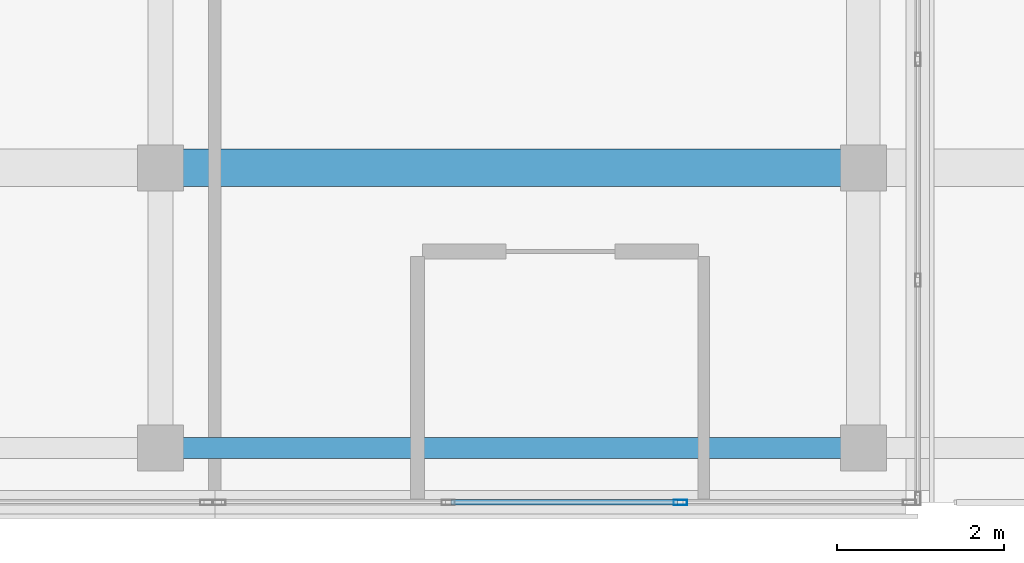
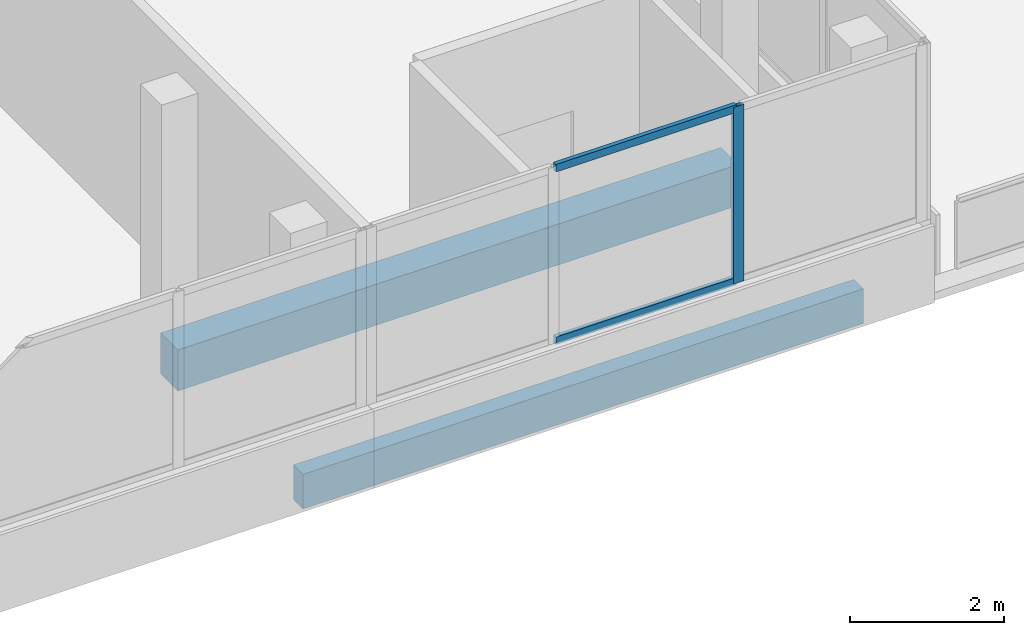
# One storey, part 38 of 67: 3 members, 2 beams, 1 element without a shape of its own.
"""IFC4 building model written with IfcOpenShell, lengths in metres."""

from ifc_helpers import new_model, si_unit, direction, frame, origin, origin_2d, place, context, subcontext, project, spatial, rectangle, hollow_rectangle, extrude, material, material_profile, profile_set, type_object, element, aggregate, save


model = new_model("IFC4")

# Units and contexts
model_context = context("Model", 3, precision=1e-05, world=origin(), true_north=direction((0.0, 1.0)))
body_context = subcontext(model_context, "Body", "Model", "MODEL_VIEW")
ifc_project = project(units=[si_unit("LENGTHUNIT", "METRE"), si_unit("AREAUNIT", "SQUARE_METRE"), si_unit("VOLUMEUNIT", "CUBIC_METRE"), si_unit("PLANEANGLEUNIT", "RADIAN"), si_unit("MASSUNIT", "GRAM", prefix="KILO")], contexts=[model_context])

# Site, building, storey
site_placement = place(None, origin())
site = spatial("IfcSite", under=ifc_project, at=site_placement, CompositionType="ELEMENT")
building_placement = place(site_placement, origin())
building = spatial("IfcBuilding", under=site, at=building_placement, Name="Selatvlak General Hospital", CompositionType="ELEMENT")
storey_placement = place(building_placement, frame((0.0, 0.0, 35.39990234375)))
storey = spatial("IfcBuildingStorey", under=building, at=storey_placement, Name="L08", CompositionType="ELEMENT", Elevation=35.39990234375)

# Beams
ifc_material_1 = material(Name="Concrete C40/50", Category="concrete")
ifc_material_profile_1 = material_profile(ifc_material_1, rectangle(XDim=0.449951171875, YDim=0.64990234375, at=origin_2d()), Name="RC-BM 450x650")
ifc_profile_set_1 = profile_set([ifc_material_profile_1], Name="Concrete C40/50")
beam_type_1 = type_object("IfcBeamType", Name="BM-G04", PredefinedType="BEAM", material=ifc_profile_set_1)
beam_1_placement = place(storey_placement, frame((148.14990234375, 92.0, -0.58984375), z_axis=(1.0, 0.0, 0.0), x_axis=(0.0, 1.0, 0.0)))
element("IfcBeam", 1, at=beam_1_placement, inside=storey, type_object=beam_type_1, Name="Beam BMR-L08-2583", PredefinedType="BEAM", context=body_context, shape_type="SweptSolid", body=[
    extrude(rectangle(XDim=0.449951171875, YDim=0.64990234375, at=origin_2d()), origin(), (0.0, 0.0, 1.0), 8.400146484375),
])
ifc_material_profile_2 = material_profile(ifc_material_1, rectangle(XDim=0.25, YDim=0.550048828125, at=origin_2d()), Name="RC-SP 250x550")
ifc_profile_set_2 = profile_set([ifc_material_profile_2], Name="Concrete C40/50")
beam_type_2 = type_object("IfcBeamType", Name="BM-SP2", PredefinedType="SPANDREL", material=ifc_profile_set_2)
beam_2_placement = place(storey_placement, frame((148.14990234375, 88.64990234375, -0.539794921875), z_axis=(1.0, 0.0, 0.0), x_axis=(0.0, 1.0, 0.0)))
element("IfcBeam", 2, at=beam_2_placement, inside=storey, type_object=beam_type_2, Name="Beam BMR-L08-2566", PredefinedType="SPANDREL", context=body_context, shape_type="SweptSolid", body=[
    extrude(rectangle(XDim=0.25, YDim=0.550048828125, at=origin_2d()), origin(), (0.0, 0.0, 1.0), 8.400146484375),
])

# Curtain wall, members
ifc_material_2 = material(Name="Solar-control Low-E double glazing", Category="glass")
curtain_wall_type = type_object("IfcCurtainWallType", Name="CW-CW-02", PredefinedType="USERDEFINED", material=ifc_material_2)
curtain_wall_placement = place(storey_placement, origin())
curtain_wall = element("IfcCurtainWall", 3, at=curtain_wall_placement, inside=storey, type_object=curtain_wall_type, Name="Glazed facade curtain wall CW-L08-0701", ObjectType="UNITISED CURTAIN WALL", PredefinedType="USERDEFINED")
ifc_material_3 = material(Name="Dark anodised aluminium mullion", Category="aluminium")
ifc_material_profile_3 = material_profile(ifc_material_3, hollow_rectangle(XDim=0.06494140625, YDim=0.159912109375, WallThickness=0.00390625, at=origin_2d()), Name="AL-MUL 65x160x4")
ifc_profile_set_3 = profile_set([ifc_material_profile_3], Name="Dark anodised aluminium mullion")
member_type_1 = type_object("IfcMemberType", Name="CWM-01", PredefinedType="MULLION", material=ifc_profile_set_3)
member_1_placement = place(storey_placement, frame((154.361572265625, 88.0009765625, 0.940185546875), z_axis=(0.0, 0.0, 1.0), x_axis=(0.0, -1.0, 0.0)))
member_1 = element("IfcMember", 4, at=member_1_placement, type_object=member_type_1, Name="CW-02 mullion 2", PredefinedType="MULLION", context=body_context, shape_type="SweptSolid", body=[
    extrude(hollow_rectangle(XDim=0.06494140625, YDim=0.159912109375, WallThickness=0.00390625, at=origin_2d()), origin(), (0.0, 0.0, 1.0), 2.7998046875),
])
ifc_material_profile_4 = material_profile(ifc_material_3, hollow_rectangle(XDim=0.06494140625, YDim=0.1201171875, WallThickness=0.00390625, at=origin_2d()), Name="AL-TRN 65x120x4")
ifc_profile_set_4 = profile_set([ifc_material_profile_4], Name="Dark anodised aluminium mullion")
member_type_2 = type_object("IfcMemberType", Name="CWT-01", PredefinedType="USERDEFINED", material=ifc_profile_set_4)
member_2_placement = place(storey_placement, frame((154.3291015625, 88.0009765625, 0.97265625), z_axis=(-1.0, 0.0, 0.0), x_axis=(0.0, -1.0, 0.0)))
member_2 = element("IfcMember", 5, at=member_2_placement, type_object=member_type_2, Name="CW-02 transom 2.1", ObjectType="TRANSOM", PredefinedType="USERDEFINED", context=body_context, shape_type="SweptSolid", body=[
    extrude(hollow_rectangle(XDim=0.06494140625, YDim=0.1201171875, WallThickness=0.00390625, at=origin_2d()), origin(), (0.0, 0.0, 1.0), 2.708251953125),
])
member_3_placement = place(storey_placement, frame((154.3291015625, 88.0009765625, 3.70751953125), z_axis=(-1.0, 0.0, 0.0), x_axis=(0.0, -1.0, 0.0)))
member_3 = element("IfcMember", 6, at=member_3_placement, type_object=member_type_2, Name="CW-02 transom 2.2", ObjectType="TRANSOM", PredefinedType="USERDEFINED", context=body_context, shape_type="SweptSolid", body=[
    extrude(hollow_rectangle(XDim=0.06494140625, YDim=0.1201171875, WallThickness=0.00390625, at=origin_2d()), origin(), (0.0, 0.0, 1.0), 2.708251953125),
])
aggregate(curtain_wall, [member_1, member_2, member_3])

save(model, "model.ifc")
